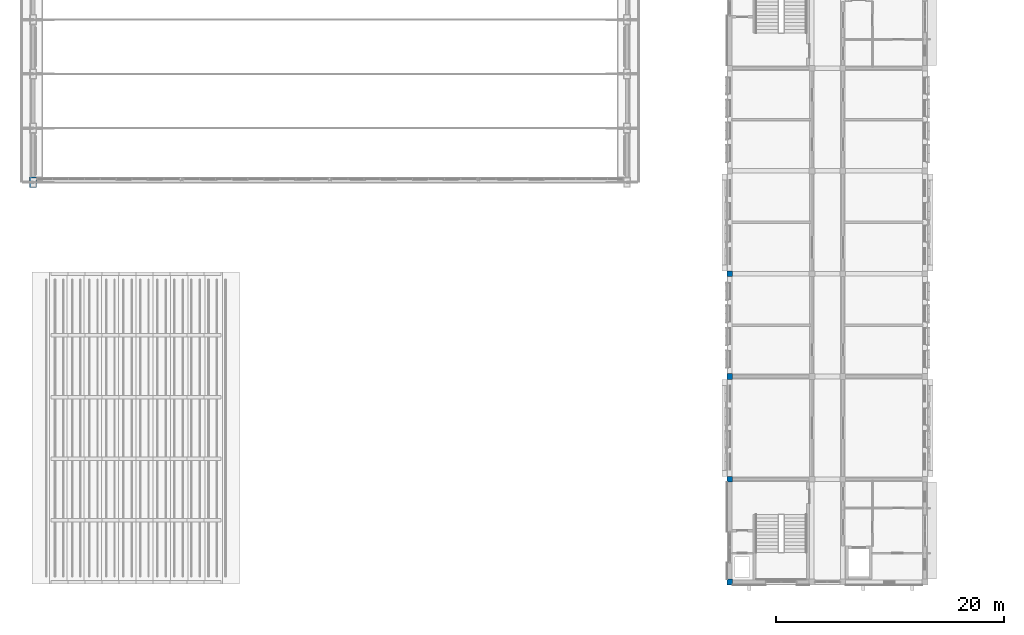
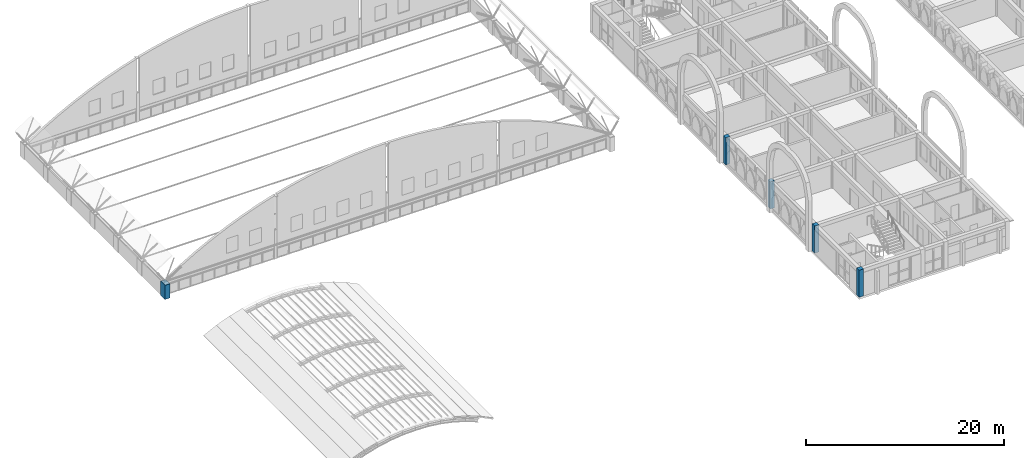
# One storey, part 1 of 65: 5 columns.
"""IFC4 building model written with IfcOpenShell, lengths in metres."""

from ifc_helpers import new_model, si_unit, direction, frame, origin, origin_2d, place, context, subcontext, project, spatial, rectangle, extrude, material, material_profile, profile_set, type_object, element, save


model = new_model("IFC4")

# Units and contexts
model_context = context("Model", 3, precision=1e-05, world=origin(), true_north=direction((0.0, 1.0)))
body_context = subcontext(model_context, "Body", "Model", "MODEL_VIEW")
ifc_project = project(units=[si_unit("LENGTHUNIT", "METRE"), si_unit("AREAUNIT", "SQUARE_METRE"), si_unit("VOLUMEUNIT", "CUBIC_METRE"), si_unit("PLANEANGLEUNIT", "RADIAN"), si_unit("MASSUNIT", "GRAM", prefix="KILO")], contexts=[model_context])

# Site, building, storey
site_placement = place(None, origin())
site = spatial("IfcSite", under=ifc_project, at=site_placement, CompositionType="ELEMENT")
building_placement = place(site_placement, origin())
building = spatial("IfcBuilding", under=site, at=building_placement, Name="Elbe Cascade School", CompositionType="ELEMENT")
storey_placement = place(building_placement, frame((0.0, 0.0, 11.699951171875)))
storey = spatial("IfcBuildingStorey", under=building, at=storey_placement, Name="L03", CompositionType="ELEMENT", Elevation=11.699951171875)

# Columns
ifc_material_1 = material(Name="Concrete C30/37", Category="concrete")
ifc_material_profile_1 = material_profile(ifc_material_1, rectangle(XDim=0.60009765625, YDim=0.89990234375, at=origin_2d()), Name="RC 600x900")
ifc_profile_set_1 = profile_set([ifc_material_profile_1], Name="Concrete C30/37")
column_type_1 = type_object("IfcColumnType", Name="Hall pilaster RC 600x900", PredefinedType="COLUMN", material=ifc_profile_set_1)
column_placement = place(storey_placement, frame((8.0, 41.0, 0.0), z_axis=(0.0, 0.0, 1.0), x_axis=(1.0, 0.0, 0.0)))
element("IfcColumn", 1, at=column_placement, inside=storey, type_object=column_type_1, Name="Pilaster W1", PredefinedType="COLUMN", context=body_context, shape_type="SweptSolid", body=[
    extrude(rectangle(XDim=0.60009765625, YDim=0.89990234375, at=origin_2d()), origin(), (0.0, 0.0, 1.0), 1.75),
])
ifc_material_2 = material(Name="Concrete C30/37", Category="concrete")
ifc_material_profile_2 = material_profile(ifc_material_2, rectangle(XDim=0.5, YDim=0.5, at=origin_2d()), Name="RC 500x500")
ifc_profile_set_2 = profile_set([ifc_material_profile_2], Name="Concrete C30/37")
column_type_2 = type_object("IfcColumnType", Name="RC 500x500 column", PredefinedType="COLUMN", material=ifc_profile_set_2)
for number, where, z_axis, x_axis, name in (
    (2, (69.0, 6.0, 0.0), (0.0, 0.0, 1.0), (1.0, 0.0, 0.0), "RC 500x500 column C1"),
    (3, (69.0, 15.0, 0.0), (0.0, 0.0, 1.0), (1.0, 0.0, 0.0), "RC 500x500 column C1"),
    (4, (69.0, 24.0, 0.0), (0.0, 0.0, 1.0), (1.0, 0.0, 0.0), "RC 500x500 column C1"),
    (5, (69.0, 33.0, 0.0), (0.0, 0.0, 1.0), (1.0, 0.0, 0.0), "RC 500x500 column C1"),
):
    element("IfcColumn", number, at=place(storey_placement, frame(where, z_axis=z_axis, x_axis=x_axis)), inside=storey, type_object=column_type_2, Name=name, PredefinedType="COLUMN", context=body_context, shape_type="SweptSolid", body=[
        extrude(rectangle(XDim=0.5, YDim=0.5, at=origin_2d()), origin(), (0.0, 0.0, 1.0), 3.35009765625),
    ])

save(model, "model.ifc")
